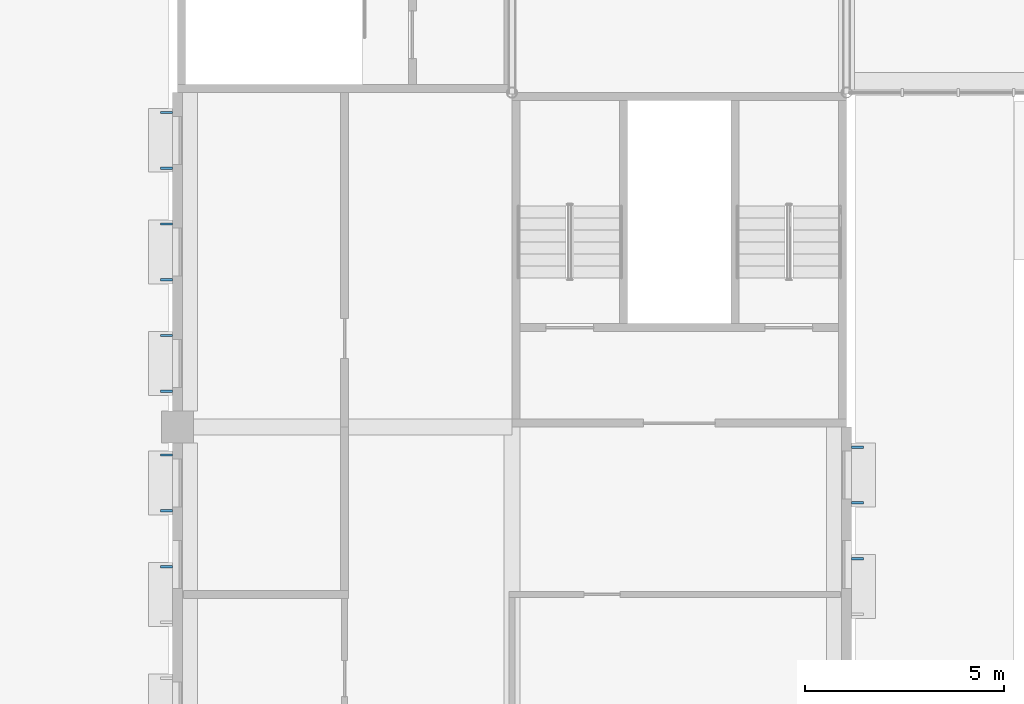
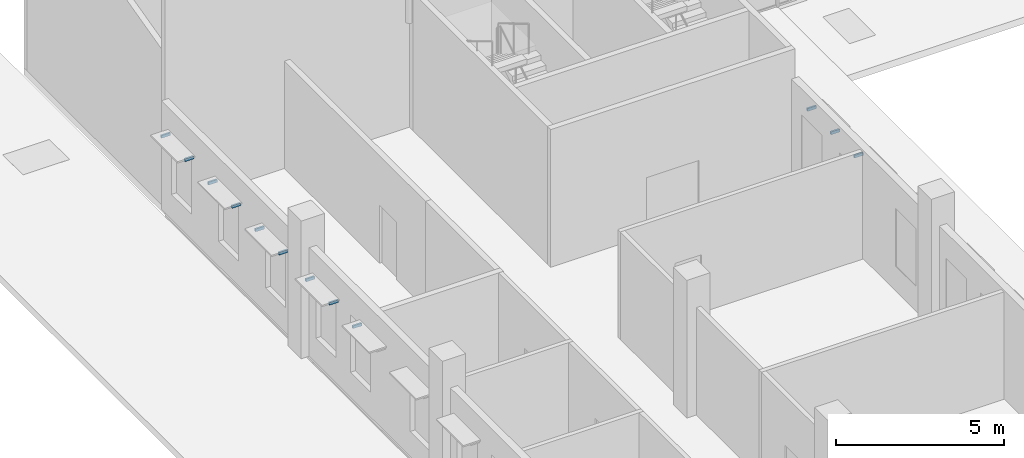
# One storey, part 50 of 101: 12 discrete accessories.
"""IFC4 building model written with IfcOpenShell, lengths in metres."""

from ifc_helpers import new_model, si_unit, direction, frame, origin, origin_2d, place, context, subcontext, project, spatial, rectangle, extrude, material, type_object, element, save


model = new_model("IFC4")

# Units and contexts
model_context = context("Model", 3, precision=1e-05, world=origin(), true_north=direction((0.0, 1.0)))
body_context = subcontext(model_context, "Body", "Model", "MODEL_VIEW")
ifc_project = project(units=[si_unit("LENGTHUNIT", "METRE"), si_unit("AREAUNIT", "SQUARE_METRE"), si_unit("VOLUMEUNIT", "CUBIC_METRE"), si_unit("PLANEANGLEUNIT", "RADIAN"), si_unit("MASSUNIT", "GRAM", prefix="KILO")], contexts=[model_context])

# Site, building, storey
site_placement = place(None, origin())
site = spatial("IfcSite", under=ifc_project, at=site_placement, CompositionType="ELEMENT")
building_placement = place(site_placement, origin())
building = spatial("IfcBuilding", under=site, at=building_placement, Name="Almond Square Museum", CompositionType="ELEMENT")
storey_placement = place(building_placement, frame((0.0, 0.0, 5.5)))
storey = spatial("IfcBuildingStorey", under=building, at=storey_placement, Name="L01", CompositionType="ELEMENT", Elevation=5.5)

# Discrete accessories
ifc_material = material(Name="Stainless steel", Category="steel")
discrete_accessory_type = type_object("IfcDiscreteAccessoryType", Name="Sun-shade blade bracket", PredefinedType="BRACKET", material=ifc_material)
for number, where, z_axis, x_axis, name in (
    (1, (23.072998046875, 63.89990234375, 2.9970703125), (0.0, 0.0, 1.0), (1.0, 0.0, 0.0), "Bracket sun-shade blade"),
    (2, (23.072998046875, 65.300048828125, 2.9970703125), (0.0, 0.0, 1.0), (1.0, 0.0, 0.0), "Bracket sun-shade blade"),
    (3, (23.072998046875, 66.699951171875, 2.9970703125), (0.0, 0.0, 1.0), (1.0, 0.0, 0.0), "Bracket sun-shade blade"),
    (4, (5.72705078125, 68.10009765625, 2.9970703125), (0.0, 0.0, 1.0), (1.0, 0.0, 0.0), "Bracket sun-shade blade"),
    (5, (5.72705078125, 69.5, 2.9970703125), (0.0, 0.0, 1.0), (1.0, 0.0, 0.0), "Bracket sun-shade blade"),
    (6, (5.72705078125, 70.89990234375, 2.9970703125), (0.0, 0.0, 1.0), (1.0, 0.0, 0.0), "Bracket sun-shade blade"),
    (7, (5.72705078125, 72.300048828125, 2.9970703125), (0.0, 0.0, 1.0), (1.0, 0.0, 0.0), "Bracket sun-shade blade"),
    (8, (5.72705078125, 73.699951171875, 2.9970703125), (0.0, 0.0, 1.0), (1.0, 0.0, 0.0), "Bracket sun-shade blade"),
    (9, (5.72705078125, 75.10009765625, 2.9970703125), (0.0, 0.0, 1.0), (1.0, 0.0, 0.0), "Bracket sun-shade blade"),
    (10, (5.72705078125, 63.699951171875, 2.9970703125), (0.0, 0.0, 1.0), (1.0, 0.0, 0.0), "Bracket sun-shade blade"),
    (11, (5.72705078125, 65.10009765625, 2.9970703125), (0.0, 0.0, 1.0), (1.0, 0.0, 0.0), "Bracket sun-shade blade"),
    (12, (5.72705078125, 66.5, 2.9970703125), (0.0, 0.0, 1.0), (1.0, 0.0, 0.0), "Bracket sun-shade blade"),
):
    element("IfcDiscreteAccessory", number, at=place(storey_placement, frame(where, z_axis=z_axis, x_axis=x_axis)), inside=storey, type_object=discrete_accessory_type, Name=name, PredefinedType="BRACKET", context=body_context, shape_type="SweptSolid", body=[
        extrude(rectangle(XDim=0.300048828125, YDim=0.06005859375, at=origin_2d()), origin(), (0.0, 0.0, 1.0), 0.10009765625),
    ])

save(model, "model.ifc")
